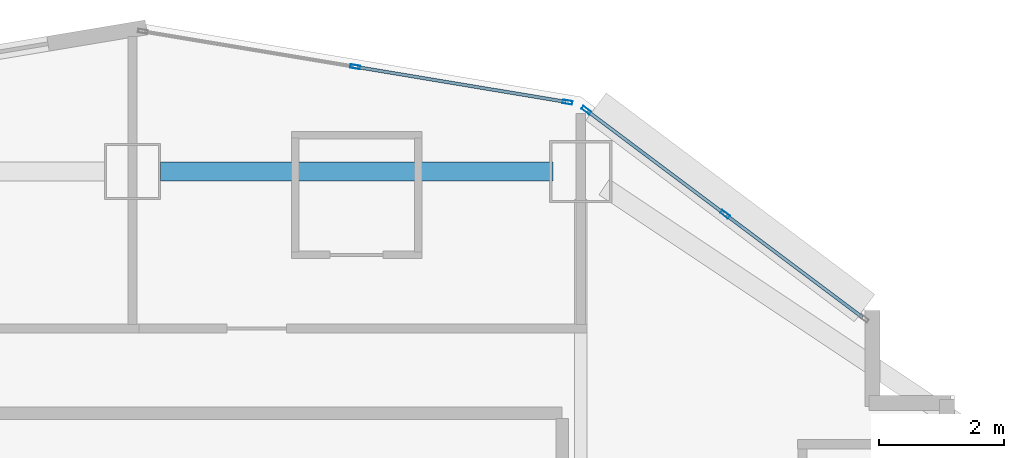
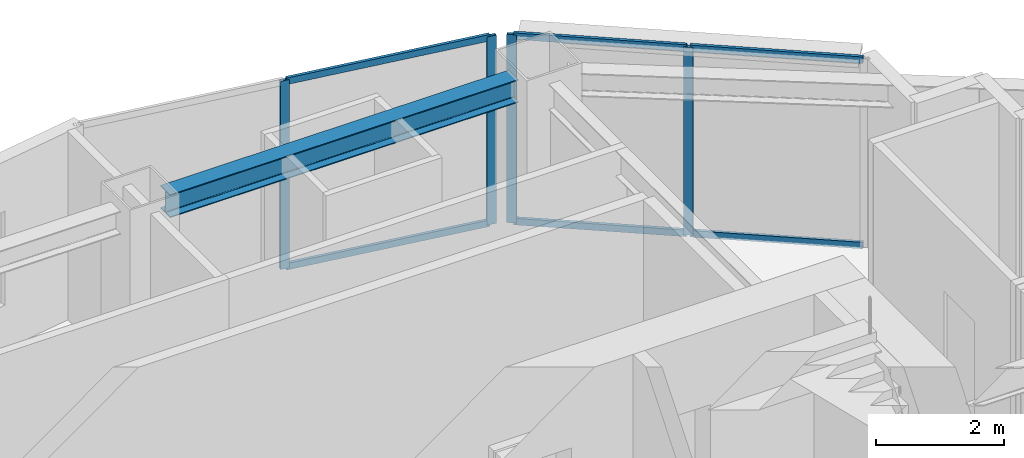
# One storey, part 3 of 14: 10 members, 1 beam, 2 elements without a shape of their own.
"""IFC4 building model written with IfcOpenShell, lengths in metres."""

from ifc_helpers import new_model, si_unit, direction, frame, origin, origin_2d, place, context, subcontext, project, spatial, hollow_rectangle, i_section, extrude, material, layer, layer_set, material_profile, profile_set, type_object, element, aggregate, save


model = new_model("IFC4")

# Units and contexts
model_context = context("Model", 3, precision=1e-05, world=origin(), true_north=direction((0.0, 1.0)))
body_context = subcontext(model_context, "Body", "Model", "MODEL_VIEW")
ifc_project = project(units=[si_unit("LENGTHUNIT", "METRE"), si_unit("AREAUNIT", "SQUARE_METRE"), si_unit("VOLUMEUNIT", "CUBIC_METRE"), si_unit("PLANEANGLEUNIT", "RADIAN"), si_unit("MASSUNIT", "GRAM", prefix="KILO")], contexts=[model_context])

# Site, building, storey
site_placement = place(None, origin())
site = spatial("IfcSite", under=ifc_project, at=site_placement, CompositionType="ELEMENT")
building_placement = place(site_placement, origin())
building = spatial("IfcBuilding", under=site, at=building_placement, Name="Haolan Belvedere Tower", CompositionType="ELEMENT")
storey_placement = place(building_placement, frame((0.0, 0.0, 148.60009765625)))
storey = spatial("IfcBuildingStorey", under=building, at=storey_placement, Name="L37", CompositionType="ELEMENT", Elevation=148.60009765625)

# Beam
ifc_material_1 = material(Name="Steel Q355B", Category="steel")
ifc_material_profile_1 = material_profile(ifc_material_1, i_section(OverallWidth=0.300048828125, OverallDepth=0.43994140625, WebThickness=0.010986328125, FlangeThickness=0.01806640625, FilletRadius=0.02392578125, at=origin_2d()), Name="Steel Q355B")
ifc_profile_set_1 = profile_set([ifc_material_profile_1], Name="Steel Q355B")
beam_type = type_object("IfcBeamType", Name="BM-HM440x300x11x18", PredefinedType="SPANDREL", material=ifc_profile_set_1)
beam_placement = place(storey_placement, frame((38.85009765625, 50.39990234375, 3.3798828125), z_axis=(1.0, 0.0, 0.0), x_axis=(0.0, 1.0, 0.0)))
element("IfcBeam", 1, at=beam_placement, inside=storey, type_object=beam_type, Name="L37 spandrel girder TC-T3-NM-MC-T3-N2", PredefinedType="SPANDREL", context=body_context, shape_type="SweptSolid", body=[
    extrude(i_section(OverallWidth=0.300048828125, OverallDepth=0.43994140625, WebThickness=0.010986328125, FlangeThickness=0.01806640625, FilletRadius=0.02392578125, at=origin_2d()), origin(), (0.0, 0.0, 1.0), 6.2998046875),
])

# Curtain wall, members
ifc_material_2 = material(Name="Anodised champagne-silver aluminium 6063-T6 and Low-E glass", Category="aluminium")
ifc_layer = layer(ifc_material_2, 0.155029296875, Name="Anodised champagne-silver aluminium 6063-T6 and Low-E glass")
ifc_layer_set = layer_set([ifc_layer], Name="Anodised champagne-silver aluminium 6063-T6 and Low-E glass")
curtain_wall_type = type_object("IfcCurtainWallType", Name="CW-SYS-03", PredefinedType="NOTDEFINED", material=ifc_layer_set)
curtain_wall_1_placement = place(storey_placement, origin())
curtain_wall_1 = element("IfcCurtainWall", 2, at=curtain_wall_1_placement, inside=storey, type_object=curtain_wall_type, Name="L37 CW-SYS-03 ribbon curtain wall 26.1", PredefinedType="NOTDEFINED")
ifc_material_3 = material(Name="Anodised aluminium 6063-T6", Category="aluminium")
ifc_material_profile_2 = material_profile(ifc_material_3, hollow_rectangle(XDim=0.05810546875, YDim=0.155029296875, WallThickness=0.00390625, at=origin_2d()), Name="Anodised aluminium 6063-T6")
ifc_profile_set_2 = profile_set([ifc_material_profile_2], Name="Anodised aluminium 6063-T6")
member_type_1 = type_object("IfcMemberType", Name="CW-SYS-03-MUL", PredefinedType="MULLION", material=ifc_profile_set_2)
member_1_placement = place(storey_placement, frame((47.915771484375, 49.713134765625, 0.0), z_axis=(0.0, 0.0, 1.0), x_axis=(-0.599994316874, -0.800004262313, 0.0)))
member_1 = element("IfcMember", 3, at=member_1_placement, type_object=member_type_1, Name="CW-03 mullion 2", PredefinedType="MULLION", context=body_context, shape_type="SweptSolid", body=[
    extrude(hollow_rectangle(XDim=0.05810546875, YDim=0.155029296875, WallThickness=0.00390625, at=origin_2d()), origin(), (0.0, 0.0, 1.0), 3.599853515625),
])
member_2_placement = place(storey_placement, frame((45.6865234375, 51.385009765625, 0.0), z_axis=(0.0, 0.0, 1.0), x_axis=(-0.599994316874, -0.800004262313, 0.0)))
member_2 = element("IfcMember", 4, at=member_2_placement, type_object=member_type_1, Name="CW-03 mullion 3", PredefinedType="MULLION", context=body_context, shape_type="SweptSolid", body=[
    extrude(hollow_rectangle(XDim=0.05810546875, YDim=0.155029296875, WallThickness=0.00390625, at=origin_2d()), origin(), (0.0, 0.0, 1.0), 3.599853515625),
])

curtain_wall_2_placement = place(storey_placement, origin())
curtain_wall_2 = element("IfcCurtainWall", 5, at=curtain_wall_2_placement, inside=storey, type_object=curtain_wall_type, Name="L37 CW-SYS-03 ribbon curtain wall 27.1", PredefinedType="NOTDEFINED")
member_3_placement = place(storey_placement, frame((45.384765625, 51.51416015625, 0.0), z_axis=(0.0, 0.0, 1.0), x_axis=(-0.16440364043, -0.9863931483, 0.0)))
member_3 = element("IfcMember", 6, at=member_3_placement, type_object=member_type_1, Name="CW-03 mullion 1", PredefinedType="MULLION", context=body_context, shape_type="SweptSolid", body=[
    extrude(hollow_rectangle(XDim=0.05810546875, YDim=0.155029296875, WallThickness=0.00390625, at=origin_2d()), origin(), (0.0, 0.0, 1.0), 3.599853515625),
])
member_4_placement = place(storey_placement, frame((41.9755859375, 52.082275390625, 0.0), z_axis=(0.0, 0.0, 1.0), x_axis=(-0.16440364043, -0.9863931483, 0.0)))
member_4 = element("IfcMember", 7, at=member_4_placement, type_object=member_type_1, Name="CW-03 mullion 2", PredefinedType="MULLION", context=body_context, shape_type="SweptSolid", body=[
    extrude(hollow_rectangle(XDim=0.05810546875, YDim=0.155029296875, WallThickness=0.00390625, at=origin_2d()), origin(), (0.0, 0.0, 1.0), 3.599853515625),
])

# Member
ifc_material_profile_3 = material_profile(ifc_material_3, hollow_rectangle(XDim=0.053955078125, YDim=0.125, WallThickness=0.00390625, at=origin_2d()), Name="Anodised aluminium 6063-T6")
ifc_profile_set_3 = profile_set([ifc_material_profile_3], Name="Anodised aluminium 6063-T6")
member_type_2 = type_object("IfcMemberType", Name="CW-SYS-03-TRN", PredefinedType="USERDEFINED", material=ifc_profile_set_3)
member_5_placement = place(storey_placement, frame((50.12158203125, 48.058837890625, 0.02685546875), z_axis=(-0.8, 0.6, 0.0), x_axis=(-0.6, -0.8, 0.0)))
member_5 = element("IfcMember", 8, at=member_5_placement, type_object=member_type_2, Name="CW-03 transom 1.1", ObjectType="TRANSOM", PredefinedType="USERDEFINED", context=body_context, shape_type="SweptSolid", body=[
    extrude(hollow_rectangle(XDim=0.053955078125, YDim=0.125, WallThickness=0.00390625, at=origin_2d()), origin(), (0.0, 0.0, 1.0), 2.728271484375),
])

member_6_placement = place(storey_placement, frame((50.12158203125, 48.058837890625, 3.572998046875), z_axis=(-0.8, 0.6, 0.0), x_axis=(-0.6, -0.8, 0.0)))
member_6 = element("IfcMember", 9, at=member_6_placement, type_object=member_type_2, Name="CW-03 transom 1.2", ObjectType="TRANSOM", PredefinedType="USERDEFINED", context=body_context, shape_type="SweptSolid", body=[
    extrude(hollow_rectangle(XDim=0.053955078125, YDim=0.125, WallThickness=0.00390625, at=origin_2d()), origin(), (0.0, 0.0, 1.0), 2.728271484375),
])

member_7_placement = place(storey_placement, frame((47.892578125, 49.730712890625, 0.02685546875), z_axis=(-0.800032211306, 0.59995704919, 0.0), x_axis=(-0.59995704919, -0.800032211306, 0.0)))
member_7 = element("IfcMember", 10, at=member_7_placement, type_object=member_type_2, Name="CW-03 transom 2.1", ObjectType="TRANSOM", PredefinedType="USERDEFINED", context=body_context, shape_type="SweptSolid", body=[
    extrude(hollow_rectangle(XDim=0.053955078125, YDim=0.125, WallThickness=0.00390625, at=origin_2d()), origin(), (0.0, 0.0, 1.0), 2.728515625),
])

member_8_placement = place(storey_placement, frame((47.892578125, 49.730712890625, 3.572998046875), z_axis=(-0.800032211306, 0.59995704919, 0.0), x_axis=(-0.59995704919, -0.800032211306, 0.0)))
member_8 = element("IfcMember", 11, at=member_8_placement, type_object=member_type_2, Name="CW-03 transom 2.2", ObjectType="TRANSOM", PredefinedType="USERDEFINED", context=body_context, shape_type="SweptSolid", body=[
    extrude(hollow_rectangle(XDim=0.053955078125, YDim=0.125, WallThickness=0.00390625, at=origin_2d()), origin(), (0.0, 0.0, 1.0), 2.728515625),
])

aggregate(curtain_wall_1, [member_1, member_2, member_5, member_6, member_7, member_8])

member_9_placement = place(storey_placement, frame((45.356201171875, 51.51904296875, 0.02685546875), z_axis=(-0.986395865591, 0.16438733633, 0.0), x_axis=(-0.16438733633, -0.986395865591, 0.0)))
member_9 = element("IfcMember", 12, at=member_9_placement, type_object=member_type_2, Name="CW-03 transom 1.1", ObjectType="TRANSOM", PredefinedType="USERDEFINED", context=body_context, shape_type="SweptSolid", body=[
    extrude(hollow_rectangle(XDim=0.053955078125, YDim=0.125, WallThickness=0.00390625, at=origin_2d()), origin(), (0.0, 0.0, 1.0), 3.39794921875),
])

member_10_placement = place(storey_placement, frame((45.356201171875, 51.51904296875, 3.572998046875), z_axis=(-0.986395865591, 0.16438733633, 0.0), x_axis=(-0.16438733633, -0.986395865591, 0.0)))
member_10 = element("IfcMember", 13, at=member_10_placement, type_object=member_type_2, Name="CW-03 transom 1.2", ObjectType="TRANSOM", PredefinedType="USERDEFINED", context=body_context, shape_type="SweptSolid", body=[
    extrude(hollow_rectangle(XDim=0.053955078125, YDim=0.125, WallThickness=0.00390625, at=origin_2d()), origin(), (0.0, 0.0, 1.0), 3.39794921875),
])

aggregate(curtain_wall_2, [member_3, member_4, member_9, member_10])

save(model, "model.ifc")
